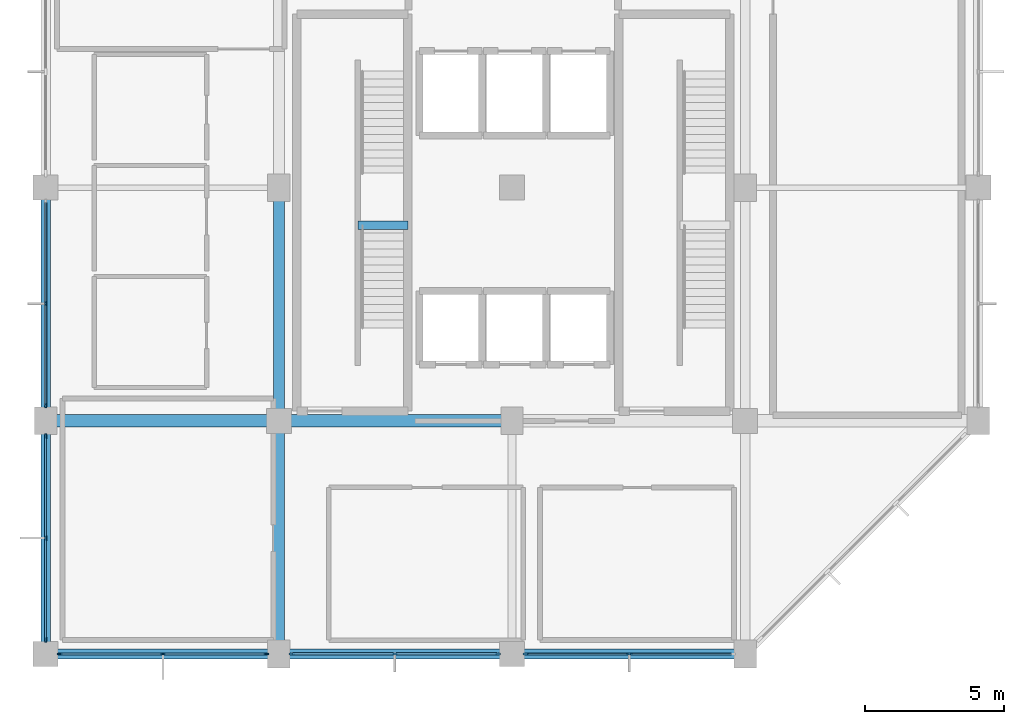
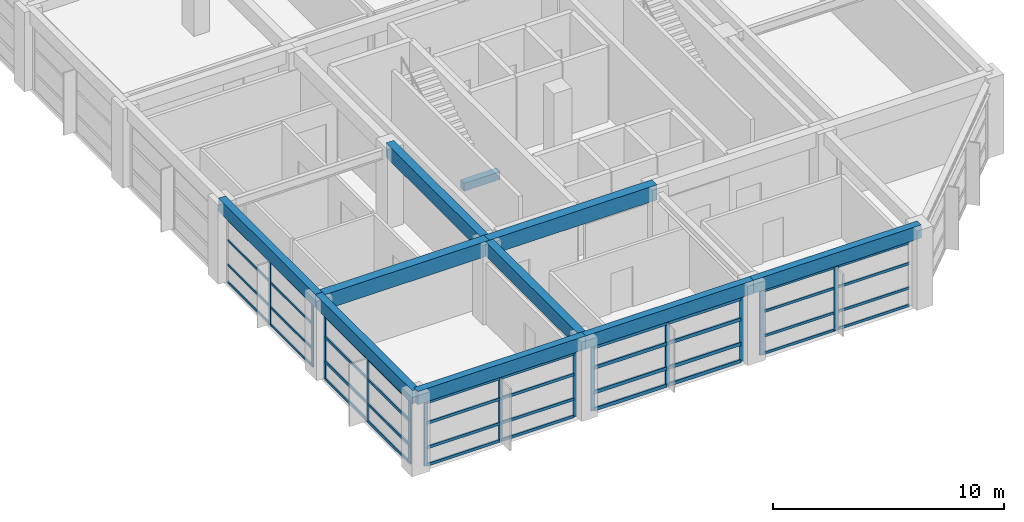
# One storey, part 2 of 12: 53 members, 10 beams, 5 elements without a shape of their own.
"""IFC4 building model written with IfcOpenShell, lengths in metres."""

from ifc_helpers import new_model, si_unit, direction, frame, origin, origin_2d, place, context, subcontext, project, spatial, rectangle, extrude, material, material_profile, profile_set, type_object, element, aggregate, save


model = new_model("IFC4")

# Units and contexts
model_context = context("Model", 3, precision=1e-05, world=origin(), true_north=direction((0.0, 1.0)))
body_context = subcontext(model_context, "Body", "Model", "MODEL_VIEW")
ifc_project = project(units=[si_unit("LENGTHUNIT", "METRE"), si_unit("AREAUNIT", "SQUARE_METRE"), si_unit("VOLUMEUNIT", "CUBIC_METRE"), si_unit("PLANEANGLEUNIT", "RADIAN"), si_unit("MASSUNIT", "GRAM", prefix="KILO")], contexts=[model_context])

# Site, building, storey
site_placement = place(None, origin())
site = spatial("IfcSite", under=ifc_project, at=site_placement, CompositionType="ELEMENT")
building_placement = place(site_placement, origin())
building = spatial("IfcBuilding", under=site, at=building_placement, Name="Xuanlan Plaza Opera House", CompositionType="ELEMENT")
storey_placement = place(building_placement, frame((0.0, 0.0, 61.5)))
storey = spatial("IfcBuildingStorey", under=building, at=storey_placement, Name="L14", CompositionType="ELEMENT", Elevation=61.5)

# Curtain wall, members
ifc_material_1 = material(Name="Anodised Aluminium 6063-T6 and Low-E Glass", Category="aluminium")
curtain_wall_type_1 = type_object("IfcCurtainWallType", Name="ENV-CW-CW-03", PredefinedType="USERDEFINED", material=ifc_material_1)
curtain_wall_1_placement = place(storey_placement, origin())
curtain_wall_1 = element("IfcCurtainWall", 1, at=curtain_wall_1_placement, inside=storey, type_object=curtain_wall_type_1, Name="Unitised Curtain Wall L14-015", ObjectType="UNITISED CURTAIN WALL", PredefinedType="USERDEFINED")
ifc_material_2 = material(Name="Anodised Aluminium 6063-T6", Category="aluminium")
ifc_material_profile_1 = material_profile(ifc_material_2, rectangle(XDim=0.06494140625, YDim=0.159912109375, at=origin_2d()), Name="ALU-M 65x160")
ifc_profile_set_1 = profile_set([ifc_material_profile_1], Name="Anodised Aluminium 6063-T6")
member_type_1 = type_object("IfcMemberType", Name="ENV-CWM-01", PredefinedType="MULLION", material=ifc_profile_set_1)
member_1_placement = place(storey_placement, frame((126.0, 54.625, 0.0), z_axis=(0.0, 0.0, 1.0), x_axis=(1.0, 0.0, 0.0)))
member_1 = element("IfcMember", 2, at=member_1_placement, type_object=member_type_1, Name="CW-03 mullion 2", PredefinedType="MULLION", context=body_context, shape_type="SweptSolid", body=[
    extrude(rectangle(XDim=0.06494140625, YDim=0.159912109375, at=origin_2d()), origin(), (0.0, 0.0, 1.0), 3.3798828125),
])
member_2_placement = place(storey_placement, frame((126.0, 50.952392578125, 0.0), z_axis=(0.0, 0.0, 1.0), x_axis=(1.0, 0.0, 0.0)))
member_2 = element("IfcMember", 3, at=member_2_placement, type_object=member_type_1, Name="CW-03 mullion 3", PredefinedType="MULLION", context=body_context, shape_type="SweptSolid", body=[
    extrude(rectangle(XDim=0.06494140625, YDim=0.159912109375, at=origin_2d()), origin(), (0.0, 0.0, 1.0), 3.3798828125),
])

curtain_wall_type_2 = type_object("IfcCurtainWallType", Name="ENV-CW-CW-01", PredefinedType="USERDEFINED", material=ifc_material_1)
curtain_wall_2_placement = place(storey_placement, origin())
curtain_wall_2 = element("IfcCurtainWall", 4, at=curtain_wall_2_placement, inside=storey, type_object=curtain_wall_type_2, Name="Unitised Curtain Wall L14-001", ObjectType="UNITISED CURTAIN WALL", PredefinedType="USERDEFINED")
ifc_material_profile_2 = material_profile(ifc_material_2, rectangle(XDim=0.070068359375, YDim=0.179931640625, at=origin_2d()), Name="ALU-M 70x180")
ifc_profile_set_2 = profile_set([ifc_material_profile_2], Name="Anodised Aluminium 6063-T6")
member_type_2 = type_object("IfcMemberType", Name="ENV-CWM-02", PredefinedType="MULLION", material=ifc_profile_set_2)
member_3_placement = place(storey_placement, frame((126.5048828125, 42.0, 0.0), z_axis=(0.0, 0.0, 1.0), x_axis=(0.0, 1.0, 0.0)))
member_3 = element("IfcMember", 5, at=member_3_placement, type_object=member_type_2, Name="CW-01 mullion 1", PredefinedType="MULLION", context=body_context, shape_type="SweptSolid", body=[
    extrude(rectangle(XDim=0.070068359375, YDim=0.179931640625, at=origin_2d()), origin(), (0.0, 0.0, 1.0), 3.3798828125),
])
member_4_placement = place(storey_placement, frame((130.22509765625, 42.0, 0.0), z_axis=(0.0, 0.0, 1.0), x_axis=(0.0, 1.0, 0.0)))
member_4 = element("IfcMember", 6, at=member_4_placement, type_object=member_type_2, Name="CW-01 mullion 2", PredefinedType="MULLION", context=body_context, shape_type="SweptSolid", body=[
    extrude(rectangle(XDim=0.070068359375, YDim=0.179931640625, at=origin_2d()), origin(), (0.0, 0.0, 1.0), 3.3798828125),
])
member_5_placement = place(storey_placement, frame((133.945068359375, 42.0, 0.0), z_axis=(0.0, 0.0, 1.0), x_axis=(0.0, 1.0, 0.0)))
member_5 = element("IfcMember", 7, at=member_5_placement, type_object=member_type_2, Name="CW-01 mullion 3", PredefinedType="MULLION", context=body_context, shape_type="SweptSolid", body=[
    extrude(rectangle(XDim=0.070068359375, YDim=0.179931640625, at=origin_2d()), origin(), (0.0, 0.0, 1.0), 3.3798828125),
])

curtain_wall_type_3 = type_object("IfcCurtainWallType", Name="ENV-CW-CW-04", PredefinedType="USERDEFINED", material=ifc_material_1)
curtain_wall_3_placement = place(storey_placement, origin())
curtain_wall_3 = element("IfcCurtainWall", 8, at=curtain_wall_3_placement, inside=storey, type_object=curtain_wall_type_3, Name="Unitised Curtain Wall L14-016", ObjectType="UNITISED CURTAIN WALL", PredefinedType="USERDEFINED")
member_6_placement = place(storey_placement, frame((126.0, 49.844970703125, 0.0), z_axis=(0.0, 0.0, 1.0), x_axis=(1.0, 0.0, 0.0)))
member_6 = element("IfcMember", 9, at=member_6_placement, type_object=member_type_2, Name="CW-04 mullion 1", PredefinedType="MULLION", context=body_context, shape_type="SweptSolid", body=[
    extrude(rectangle(XDim=0.070068359375, YDim=0.179931640625, at=origin_2d()), origin(), (0.0, 0.0, 1.0), 3.3798828125),
])
member_7_placement = place(storey_placement, frame((126.0, 46.175048828125, 0.0), z_axis=(0.0, 0.0, 1.0), x_axis=(1.0, 0.0, 0.0)))
member_7 = element("IfcMember", 10, at=member_7_placement, type_object=member_type_2, Name="CW-04 mullion 2", PredefinedType="MULLION", context=body_context, shape_type="SweptSolid", body=[
    extrude(rectangle(XDim=0.070068359375, YDim=0.179931640625, at=origin_2d()), origin(), (0.0, 0.0, 1.0), 3.3798828125),
])
member_8_placement = place(storey_placement, frame((126.0, 42.5048828125, 0.0), z_axis=(0.0, 0.0, 1.0), x_axis=(1.0, 0.0, 0.0)))
member_8 = element("IfcMember", 11, at=member_8_placement, type_object=member_type_2, Name="CW-04 mullion 3", PredefinedType="MULLION", context=body_context, shape_type="SweptSolid", body=[
    extrude(rectangle(XDim=0.070068359375, YDim=0.179931640625, at=origin_2d()), origin(), (0.0, 0.0, 1.0), 3.3798828125),
])

curtain_wall_type_4 = type_object("IfcCurtainWallType", Name="ENV-CW-CW-02", PredefinedType="USERDEFINED", material=ifc_material_1)
curtain_wall_4_placement = place(storey_placement, origin())
curtain_wall_4 = element("IfcCurtainWall", 12, at=curtain_wall_4_placement, inside=storey, type_object=curtain_wall_type_4, Name="Unitised Curtain Wall L14-002", ObjectType="UNITISED CURTAIN WALL", PredefinedType="USERDEFINED")
ifc_material_profile_3 = material_profile(ifc_material_2, rectangle(XDim=0.074951171875, YDim=0.199951171875, at=origin_2d()), Name="ALU-M 75x200")
ifc_profile_set_3 = profile_set([ifc_material_profile_3], Name="Anodised Aluminium 6063-T6")
member_type_3 = type_object("IfcMemberType", Name="ENV-CWM-03", PredefinedType="MULLION", material=ifc_profile_set_3)
member_9_placement = place(storey_placement, frame((134.857421875, 42.0, 0.0), z_axis=(0.0, 0.0, 1.0), x_axis=(0.0, 1.0, 0.0)))
member_9 = element("IfcMember", 13, at=member_9_placement, type_object=member_type_3, Name="CW-02 mullion 1", PredefinedType="MULLION", context=body_context, shape_type="SweptSolid", body=[
    extrude(rectangle(XDim=0.074951171875, YDim=0.199951171875, at=origin_2d()), origin(), (0.0, 0.0, 1.0), 3.3798828125),
])
member_10_placement = place(storey_placement, frame((138.574951171875, 42.0, 0.0), z_axis=(0.0, 0.0, 1.0), x_axis=(0.0, 1.0, 0.0)))
member_10 = element("IfcMember", 14, at=member_10_placement, type_object=member_type_3, Name="CW-02 mullion 2", PredefinedType="MULLION", context=body_context, shape_type="SweptSolid", body=[
    extrude(rectangle(XDim=0.074951171875, YDim=0.199951171875, at=origin_2d()), origin(), (0.0, 0.0, 1.0), 3.3798828125),
])
member_11_placement = place(storey_placement, frame((142.29248046875, 42.0, 0.0), z_axis=(0.0, 0.0, 1.0), x_axis=(0.0, 1.0, 0.0)))
member_11 = element("IfcMember", 15, at=member_11_placement, type_object=member_type_3, Name="CW-02 mullion 3", PredefinedType="MULLION", context=body_context, shape_type="SweptSolid", body=[
    extrude(rectangle(XDim=0.074951171875, YDim=0.199951171875, at=origin_2d()), origin(), (0.0, 0.0, 1.0), 3.3798828125),
])

curtain_wall_5_placement = place(storey_placement, origin())
curtain_wall_5 = element("IfcCurtainWall", 16, at=curtain_wall_5_placement, inside=storey, type_object=curtain_wall_type_1, Name="Unitised Curtain Wall L14-003", ObjectType="UNITISED CURTAIN WALL", PredefinedType="USERDEFINED")
ifc_material_profile_4 = material_profile(ifc_material_2, rectangle(XDim=0.080078125, YDim=0.219970703125, at=origin_2d()), Name="ALU-M 80x220")
ifc_profile_set_4 = profile_set([ifc_material_profile_4], Name="Anodised Aluminium 6063-T6")
member_type_4 = type_object("IfcMemberType", Name="ENV-CWM-04", PredefinedType="MULLION", material=ifc_profile_set_4)
member_12_placement = place(storey_placement, frame((143.31005859375, 42.0, 0.0), z_axis=(0.0, 0.0, 1.0), x_axis=(0.0, 1.0, 0.0)))
member_12 = element("IfcMember", 17, at=member_12_placement, type_object=member_type_4, Name="CW-03 mullion 1", PredefinedType="MULLION", context=body_context, shape_type="SweptSolid", body=[
    extrude(rectangle(XDim=0.080078125, YDim=0.219970703125, at=origin_2d()), origin(), (0.0, 0.0, 1.0), 3.3798828125),
])
member_13_placement = place(storey_placement, frame((147.02490234375, 42.0, 0.0), z_axis=(0.0, 0.0, 1.0), x_axis=(0.0, 1.0, 0.0)))
member_13 = element("IfcMember", 18, at=member_13_placement, type_object=member_type_4, Name="CW-03 mullion 2", PredefinedType="MULLION", context=body_context, shape_type="SweptSolid", body=[
    extrude(rectangle(XDim=0.080078125, YDim=0.219970703125, at=origin_2d()), origin(), (0.0, 0.0, 1.0), 3.3798828125),
])

# Member
ifc_material_profile_5 = material_profile(ifc_material_2, rectangle(XDim=0.06494140625, YDim=0.1201171875, at=origin_2d()), Name="ALU-T 65x120")
ifc_profile_set_5 = profile_set([ifc_material_profile_5], Name="Anodised Aluminium 6063-T6")
member_type_5 = type_object("IfcMemberType", Name="ENV-CWT-01", PredefinedType="USERDEFINED", material=ifc_profile_set_5)
member_14_placement = place(storey_placement, frame((126.0, 58.264892578125, 0.032470703125), z_axis=(0.0, -1.0, 0.0), x_axis=(1.0, 0.0, 0.0)))
member_14 = element("IfcMember", 19, at=member_14_placement, type_object=member_type_5, Name="CW-03 transom 1.1", ObjectType="TRANSOM", PredefinedType="USERDEFINED", context=body_context, shape_type="SweptSolid", body=[
    extrude(rectangle(XDim=0.06494140625, YDim=0.1201171875, at=origin_2d()), origin(), (0.0, 0.0, 1.0), 3.607421875),
])

member_15_placement = place(storey_placement, frame((126.0, 58.264892578125, 0.949951171875), z_axis=(0.0, -1.0, 0.0), x_axis=(1.0, 0.0, 0.0)))
member_15 = element("IfcMember", 20, at=member_15_placement, type_object=member_type_5, Name="CW-03 transom 1.2", ObjectType="TRANSOM", PredefinedType="USERDEFINED", context=body_context, shape_type="SweptSolid", body=[
    extrude(rectangle(XDim=0.06494140625, YDim=0.1201171875, at=origin_2d()), origin(), (0.0, 0.0, 1.0), 3.607421875),
])

member_16_placement = place(storey_placement, frame((126.0, 58.264892578125, 2.25), z_axis=(0.0, -1.0, 0.0), x_axis=(1.0, 0.0, 0.0)))
member_16 = element("IfcMember", 21, at=member_16_placement, type_object=member_type_5, Name="CW-03 transom 1.3", ObjectType="TRANSOM", PredefinedType="USERDEFINED", context=body_context, shape_type="SweptSolid", body=[
    extrude(rectangle(XDim=0.06494140625, YDim=0.1201171875, at=origin_2d()), origin(), (0.0, 0.0, 1.0), 3.607421875),
])

member_17_placement = place(storey_placement, frame((126.0, 58.264892578125, 3.347412109375), z_axis=(0.0, -1.0, 0.0), x_axis=(1.0, 0.0, 0.0)))
member_17 = element("IfcMember", 22, at=member_17_placement, type_object=member_type_5, Name="CW-03 transom 1.4", ObjectType="TRANSOM", PredefinedType="USERDEFINED", context=body_context, shape_type="SweptSolid", body=[
    extrude(rectangle(XDim=0.06494140625, YDim=0.1201171875, at=origin_2d()), origin(), (0.0, 0.0, 1.0), 3.607421875),
])

member_18_placement = place(storey_placement, frame((126.0, 54.592529296875, 0.032470703125), z_axis=(0.0, -1.0, 0.0), x_axis=(1.0, 0.0, 0.0)))
member_18 = element("IfcMember", 23, at=member_18_placement, type_object=member_type_5, Name="CW-03 transom 2.1", ObjectType="TRANSOM", PredefinedType="USERDEFINED", context=body_context, shape_type="SweptSolid", body=[
    extrude(rectangle(XDim=0.06494140625, YDim=0.1201171875, at=origin_2d()), origin(), (0.0, 0.0, 1.0), 3.607421875),
])

member_19_placement = place(storey_placement, frame((126.0, 54.592529296875, 0.949951171875), z_axis=(0.0, -1.0, 0.0), x_axis=(1.0, 0.0, 0.0)))
member_19 = element("IfcMember", 24, at=member_19_placement, type_object=member_type_5, Name="CW-03 transom 2.2", ObjectType="TRANSOM", PredefinedType="USERDEFINED", context=body_context, shape_type="SweptSolid", body=[
    extrude(rectangle(XDim=0.06494140625, YDim=0.1201171875, at=origin_2d()), origin(), (0.0, 0.0, 1.0), 3.607421875),
])

member_20_placement = place(storey_placement, frame((126.0, 54.592529296875, 2.25), z_axis=(0.0, -1.0, 0.0), x_axis=(1.0, 0.0, 0.0)))
member_20 = element("IfcMember", 25, at=member_20_placement, type_object=member_type_5, Name="CW-03 transom 2.3", ObjectType="TRANSOM", PredefinedType="USERDEFINED", context=body_context, shape_type="SweptSolid", body=[
    extrude(rectangle(XDim=0.06494140625, YDim=0.1201171875, at=origin_2d()), origin(), (0.0, 0.0, 1.0), 3.607421875),
])

member_21_placement = place(storey_placement, frame((126.0, 54.592529296875, 3.347412109375), z_axis=(0.0, -1.0, 0.0), x_axis=(1.0, 0.0, 0.0)))
member_21 = element("IfcMember", 26, at=member_21_placement, type_object=member_type_5, Name="CW-03 transom 2.4", ObjectType="TRANSOM", PredefinedType="USERDEFINED", context=body_context, shape_type="SweptSolid", body=[
    extrude(rectangle(XDim=0.06494140625, YDim=0.1201171875, at=origin_2d()), origin(), (0.0, 0.0, 1.0), 3.607421875),
])

aggregate(curtain_wall_1, [member_1, member_2, member_14, member_15, member_16, member_17, member_18, member_19, member_20, member_21])

ifc_material_profile_6 = material_profile(ifc_material_2, rectangle(XDim=0.070068359375, YDim=0.135009765625, at=origin_2d()), Name="ALU-T 70x135")
ifc_profile_set_6 = profile_set([ifc_material_profile_6], Name="Anodised Aluminium 6063-T6")
member_type_6 = type_object("IfcMemberType", Name="ENV-CWT-02", PredefinedType="USERDEFINED", material=ifc_profile_set_6)
member_22_placement = place(storey_placement, frame((143.35009765625, 42.0, 0.034912109375), z_axis=(1.0, 0.0, 0.0), x_axis=(0.0, 1.0, 0.0)))
member_22 = element("IfcMember", 27, at=member_22_placement, type_object=member_type_6, Name="CW-03 transom 1.1", ObjectType="TRANSOM", PredefinedType="USERDEFINED", context=body_context, shape_type="SweptSolid", body=[
    extrude(rectangle(XDim=0.070068359375, YDim=0.135009765625, at=origin_2d()), origin(), (0.0, 0.0, 1.0), 3.635009765625),
])

member_23_placement = place(storey_placement, frame((143.35009765625, 42.0, 0.949951171875), z_axis=(1.0, 0.0, 0.0), x_axis=(0.0, 1.0, 0.0)))
member_23 = element("IfcMember", 28, at=member_23_placement, type_object=member_type_6, Name="CW-03 transom 1.2", ObjectType="TRANSOM", PredefinedType="USERDEFINED", context=body_context, shape_type="SweptSolid", body=[
    extrude(rectangle(XDim=0.070068359375, YDim=0.135009765625, at=origin_2d()), origin(), (0.0, 0.0, 1.0), 3.635009765625),
])

member_24_placement = place(storey_placement, frame((143.35009765625, 42.0, 2.25), z_axis=(1.0, 0.0, 0.0), x_axis=(0.0, 1.0, 0.0)))
member_24 = element("IfcMember", 29, at=member_24_placement, type_object=member_type_6, Name="CW-03 transom 1.3", ObjectType="TRANSOM", PredefinedType="USERDEFINED", context=body_context, shape_type="SweptSolid", body=[
    extrude(rectangle(XDim=0.070068359375, YDim=0.135009765625, at=origin_2d()), origin(), (0.0, 0.0, 1.0), 3.635009765625),
])

member_25_placement = place(storey_placement, frame((143.35009765625, 42.0, 3.344970703125), z_axis=(1.0, 0.0, 0.0), x_axis=(0.0, 1.0, 0.0)))
member_25 = element("IfcMember", 30, at=member_25_placement, type_object=member_type_6, Name="CW-03 transom 1.4", ObjectType="TRANSOM", PredefinedType="USERDEFINED", context=body_context, shape_type="SweptSolid", body=[
    extrude(rectangle(XDim=0.070068359375, YDim=0.135009765625, at=origin_2d()), origin(), (0.0, 0.0, 1.0), 3.635009765625),
])

member_26_placement = place(storey_placement, frame((147.06494140625, 42.0, 0.034912109375), z_axis=(1.0, 0.0, 0.0), x_axis=(0.0, 1.0, 0.0)))
member_26 = element("IfcMember", 31, at=member_26_placement, type_object=member_type_6, Name="CW-03 transom 2.1", ObjectType="TRANSOM", PredefinedType="USERDEFINED", context=body_context, shape_type="SweptSolid", body=[
    extrude(rectangle(XDim=0.070068359375, YDim=0.135009765625, at=origin_2d()), origin(), (0.0, 0.0, 1.0), 3.635009765625),
])

member_27_placement = place(storey_placement, frame((147.06494140625, 42.0, 0.949951171875), z_axis=(1.0, 0.0, 0.0), x_axis=(0.0, 1.0, 0.0)))
member_27 = element("IfcMember", 32, at=member_27_placement, type_object=member_type_6, Name="CW-03 transom 2.2", ObjectType="TRANSOM", PredefinedType="USERDEFINED", context=body_context, shape_type="SweptSolid", body=[
    extrude(rectangle(XDim=0.070068359375, YDim=0.135009765625, at=origin_2d()), origin(), (0.0, 0.0, 1.0), 3.635009765625),
])

member_28_placement = place(storey_placement, frame((147.06494140625, 42.0, 2.25), z_axis=(1.0, 0.0, 0.0), x_axis=(0.0, 1.0, 0.0)))
member_28 = element("IfcMember", 33, at=member_28_placement, type_object=member_type_6, Name="CW-03 transom 2.3", ObjectType="TRANSOM", PredefinedType="USERDEFINED", context=body_context, shape_type="SweptSolid", body=[
    extrude(rectangle(XDim=0.070068359375, YDim=0.135009765625, at=origin_2d()), origin(), (0.0, 0.0, 1.0), 3.635009765625),
])

member_29_placement = place(storey_placement, frame((147.06494140625, 42.0, 3.344970703125), z_axis=(1.0, 0.0, 0.0), x_axis=(0.0, 1.0, 0.0)))
member_29 = element("IfcMember", 34, at=member_29_placement, type_object=member_type_6, Name="CW-03 transom 2.4", ObjectType="TRANSOM", PredefinedType="USERDEFINED", context=body_context, shape_type="SweptSolid", body=[
    extrude(rectangle(XDim=0.070068359375, YDim=0.135009765625, at=origin_2d()), origin(), (0.0, 0.0, 1.0), 3.635009765625),
])

aggregate(curtain_wall_5, [member_12, member_13, member_22, member_23, member_24, member_25, member_26, member_27, member_28, member_29])

ifc_material_profile_7 = material_profile(ifc_material_2, rectangle(XDim=0.074951171875, YDim=0.14990234375, at=origin_2d()), Name="ALU-T 75x150")
ifc_profile_set_7 = profile_set([ifc_material_profile_7], Name="Anodised Aluminium 6063-T6")
member_type_7 = type_object("IfcMemberType", Name="ENV-CWT-03", PredefinedType="USERDEFINED", material=ifc_profile_set_7)
member_30_placement = place(storey_placement, frame((126.5400390625, 42.0, 0.03759765625), z_axis=(1.0, 0.0, 0.0), x_axis=(0.0, 1.0, 0.0)))
member_30 = element("IfcMember", 35, at=member_30_placement, type_object=member_type_7, Name="CW-01 transom 1.1", ObjectType="TRANSOM", PredefinedType="USERDEFINED", context=body_context, shape_type="SweptSolid", body=[
    extrude(rectangle(XDim=0.074951171875, YDim=0.14990234375, at=origin_2d()), origin(), (0.0, 0.0, 1.0), 3.64990234375),
])

member_31_placement = place(storey_placement, frame((126.5400390625, 42.0, 0.949951171875), z_axis=(1.0, 0.0, 0.0), x_axis=(0.0, 1.0, 0.0)))
member_31 = element("IfcMember", 36, at=member_31_placement, type_object=member_type_7, Name="CW-01 transom 1.2", ObjectType="TRANSOM", PredefinedType="USERDEFINED", context=body_context, shape_type="SweptSolid", body=[
    extrude(rectangle(XDim=0.074951171875, YDim=0.14990234375, at=origin_2d()), origin(), (0.0, 0.0, 1.0), 3.64990234375),
])

member_32_placement = place(storey_placement, frame((126.5400390625, 42.0, 2.25), z_axis=(1.0, 0.0, 0.0), x_axis=(0.0, 1.0, 0.0)))
member_32 = element("IfcMember", 37, at=member_32_placement, type_object=member_type_7, Name="CW-01 transom 1.3", ObjectType="TRANSOM", PredefinedType="USERDEFINED", context=body_context, shape_type="SweptSolid", body=[
    extrude(rectangle(XDim=0.074951171875, YDim=0.14990234375, at=origin_2d()), origin(), (0.0, 0.0, 1.0), 3.64990234375),
])

member_33_placement = place(storey_placement, frame((126.5400390625, 42.0, 3.342529296875), z_axis=(1.0, 0.0, 0.0), x_axis=(0.0, 1.0, 0.0)))
member_33 = element("IfcMember", 38, at=member_33_placement, type_object=member_type_7, Name="CW-01 transom 1.4", ObjectType="TRANSOM", PredefinedType="USERDEFINED", context=body_context, shape_type="SweptSolid", body=[
    extrude(rectangle(XDim=0.074951171875, YDim=0.14990234375, at=origin_2d()), origin(), (0.0, 0.0, 1.0), 3.64990234375),
])

member_34_placement = place(storey_placement, frame((130.260009765625, 42.0, 0.03759765625), z_axis=(1.0, 0.0, 0.0), x_axis=(0.0, 1.0, 0.0)))
member_34 = element("IfcMember", 39, at=member_34_placement, type_object=member_type_7, Name="CW-01 transom 2.1", ObjectType="TRANSOM", PredefinedType="USERDEFINED", context=body_context, shape_type="SweptSolid", body=[
    extrude(rectangle(XDim=0.074951171875, YDim=0.14990234375, at=origin_2d()), origin(), (0.0, 0.0, 1.0), 3.64990234375),
])

member_35_placement = place(storey_placement, frame((130.260009765625, 42.0, 0.949951171875), z_axis=(1.0, 0.0, 0.0), x_axis=(0.0, 1.0, 0.0)))
member_35 = element("IfcMember", 40, at=member_35_placement, type_object=member_type_7, Name="CW-01 transom 2.2", ObjectType="TRANSOM", PredefinedType="USERDEFINED", context=body_context, shape_type="SweptSolid", body=[
    extrude(rectangle(XDim=0.074951171875, YDim=0.14990234375, at=origin_2d()), origin(), (0.0, 0.0, 1.0), 3.64990234375),
])

member_36_placement = place(storey_placement, frame((130.260009765625, 42.0, 2.25), z_axis=(1.0, 0.0, 0.0), x_axis=(0.0, 1.0, 0.0)))
member_36 = element("IfcMember", 41, at=member_36_placement, type_object=member_type_7, Name="CW-01 transom 2.3", ObjectType="TRANSOM", PredefinedType="USERDEFINED", context=body_context, shape_type="SweptSolid", body=[
    extrude(rectangle(XDim=0.074951171875, YDim=0.14990234375, at=origin_2d()), origin(), (0.0, 0.0, 1.0), 3.64990234375),
])

member_37_placement = place(storey_placement, frame((130.260009765625, 42.0, 3.342529296875), z_axis=(1.0, 0.0, 0.0), x_axis=(0.0, 1.0, 0.0)))
member_37 = element("IfcMember", 42, at=member_37_placement, type_object=member_type_7, Name="CW-01 transom 2.4", ObjectType="TRANSOM", PredefinedType="USERDEFINED", context=body_context, shape_type="SweptSolid", body=[
    extrude(rectangle(XDim=0.074951171875, YDim=0.14990234375, at=origin_2d()), origin(), (0.0, 0.0, 1.0), 3.64990234375),
])

aggregate(curtain_wall_2, [member_3, member_4, member_5, member_30, member_31, member_32, member_33, member_34, member_35, member_36, member_37])

member_38_placement = place(storey_placement, frame((126.0, 49.81005859375, 0.03759765625), z_axis=(0.0, -1.0, 0.0), x_axis=(1.0, 0.0, 0.0)))
member_38 = element("IfcMember", 43, at=member_38_placement, type_object=member_type_7, Name="CW-04 transom 1.1", ObjectType="TRANSOM", PredefinedType="USERDEFINED", context=body_context, shape_type="SweptSolid", body=[
    extrude(rectangle(XDim=0.074951171875, YDim=0.14990234375, at=origin_2d()), origin(), (0.0, 0.0, 1.0), 3.60009765625),
])

member_39_placement = place(storey_placement, frame((126.0, 49.81005859375, 0.949951171875), z_axis=(0.0, -1.0, 0.0), x_axis=(1.0, 0.0, 0.0)))
member_39 = element("IfcMember", 44, at=member_39_placement, type_object=member_type_7, Name="CW-04 transom 1.2", ObjectType="TRANSOM", PredefinedType="USERDEFINED", context=body_context, shape_type="SweptSolid", body=[
    extrude(rectangle(XDim=0.074951171875, YDim=0.14990234375, at=origin_2d()), origin(), (0.0, 0.0, 1.0), 3.60009765625),
])

member_40_placement = place(storey_placement, frame((126.0, 49.81005859375, 2.25), z_axis=(0.0, -1.0, 0.0), x_axis=(1.0, 0.0, 0.0)))
member_40 = element("IfcMember", 45, at=member_40_placement, type_object=member_type_7, Name="CW-04 transom 1.3", ObjectType="TRANSOM", PredefinedType="USERDEFINED", context=body_context, shape_type="SweptSolid", body=[
    extrude(rectangle(XDim=0.074951171875, YDim=0.14990234375, at=origin_2d()), origin(), (0.0, 0.0, 1.0), 3.60009765625),
])

member_41_placement = place(storey_placement, frame((126.0, 49.81005859375, 3.342529296875), z_axis=(0.0, -1.0, 0.0), x_axis=(1.0, 0.0, 0.0)))
member_41 = element("IfcMember", 46, at=member_41_placement, type_object=member_type_7, Name="CW-04 transom 1.4", ObjectType="TRANSOM", PredefinedType="USERDEFINED", context=body_context, shape_type="SweptSolid", body=[
    extrude(rectangle(XDim=0.074951171875, YDim=0.14990234375, at=origin_2d()), origin(), (0.0, 0.0, 1.0), 3.60009765625),
])

member_42_placement = place(storey_placement, frame((126.0, 46.139892578125, 0.03759765625), z_axis=(0.0, -1.0, 0.0), x_axis=(1.0, 0.0, 0.0)))
member_42 = element("IfcMember", 47, at=member_42_placement, type_object=member_type_7, Name="CW-04 transom 2.1", ObjectType="TRANSOM", PredefinedType="USERDEFINED", context=body_context, shape_type="SweptSolid", body=[
    extrude(rectangle(XDim=0.074951171875, YDim=0.14990234375, at=origin_2d()), origin(), (0.0, 0.0, 1.0), 3.599853515625),
])

member_43_placement = place(storey_placement, frame((126.0, 46.139892578125, 0.949951171875), z_axis=(0.0, -1.0, 0.0), x_axis=(1.0, 0.0, 0.0)))
member_43 = element("IfcMember", 48, at=member_43_placement, type_object=member_type_7, Name="CW-04 transom 2.2", ObjectType="TRANSOM", PredefinedType="USERDEFINED", context=body_context, shape_type="SweptSolid", body=[
    extrude(rectangle(XDim=0.074951171875, YDim=0.14990234375, at=origin_2d()), origin(), (0.0, 0.0, 1.0), 3.599853515625),
])

member_44_placement = place(storey_placement, frame((126.0, 46.139892578125, 2.25), z_axis=(0.0, -1.0, 0.0), x_axis=(1.0, 0.0, 0.0)))
member_44 = element("IfcMember", 49, at=member_44_placement, type_object=member_type_7, Name="CW-04 transom 2.3", ObjectType="TRANSOM", PredefinedType="USERDEFINED", context=body_context, shape_type="SweptSolid", body=[
    extrude(rectangle(XDim=0.074951171875, YDim=0.14990234375, at=origin_2d()), origin(), (0.0, 0.0, 1.0), 3.599853515625),
])

member_45_placement = place(storey_placement, frame((126.0, 46.139892578125, 3.342529296875), z_axis=(0.0, -1.0, 0.0), x_axis=(1.0, 0.0, 0.0)))
member_45 = element("IfcMember", 50, at=member_45_placement, type_object=member_type_7, Name="CW-04 transom 2.4", ObjectType="TRANSOM", PredefinedType="USERDEFINED", context=body_context, shape_type="SweptSolid", body=[
    extrude(rectangle(XDim=0.074951171875, YDim=0.14990234375, at=origin_2d()), origin(), (0.0, 0.0, 1.0), 3.599853515625),
])

aggregate(curtain_wall_3, [member_6, member_7, member_8, member_38, member_39, member_40, member_41, member_42, member_43, member_44, member_45])

ifc_material_profile_8 = material_profile(ifc_material_2, rectangle(XDim=0.090087890625, YDim=0.179931640625, at=origin_2d()), Name="ALU-T 90x180")
ifc_profile_set_8 = profile_set([ifc_material_profile_8], Name="Anodised Aluminium 6063-T6")
member_type_8 = type_object("IfcMemberType", Name="ENV-CWT-05", PredefinedType="USERDEFINED", material=ifc_profile_set_8)
member_46_placement = place(storey_placement, frame((134.89501953125, 42.0, 0.044921875), z_axis=(1.0, 0.0, 0.0), x_axis=(0.0, 1.0, 0.0)))
member_46 = element("IfcMember", 51, at=member_46_placement, type_object=member_type_8, Name="CW-02 transom 1.1", ObjectType="TRANSOM", PredefinedType="USERDEFINED", context=body_context, shape_type="SweptSolid", body=[
    extrude(rectangle(XDim=0.090087890625, YDim=0.179931640625, at=origin_2d()), origin(), (0.0, 0.0, 1.0), 3.642578125),
])

member_47_placement = place(storey_placement, frame((134.89501953125, 42.0, 0.949951171875), z_axis=(1.0, 0.0, 0.0), x_axis=(0.0, 1.0, 0.0)))
member_47 = element("IfcMember", 52, at=member_47_placement, type_object=member_type_8, Name="CW-02 transom 1.2", ObjectType="TRANSOM", PredefinedType="USERDEFINED", context=body_context, shape_type="SweptSolid", body=[
    extrude(rectangle(XDim=0.090087890625, YDim=0.179931640625, at=origin_2d()), origin(), (0.0, 0.0, 1.0), 3.642578125),
])

member_48_placement = place(storey_placement, frame((134.89501953125, 42.0, 2.25), z_axis=(1.0, 0.0, 0.0), x_axis=(0.0, 1.0, 0.0)))
member_48 = element("IfcMember", 53, at=member_48_placement, type_object=member_type_8, Name="CW-02 transom 1.3", ObjectType="TRANSOM", PredefinedType="USERDEFINED", context=body_context, shape_type="SweptSolid", body=[
    extrude(rectangle(XDim=0.090087890625, YDim=0.179931640625, at=origin_2d()), origin(), (0.0, 0.0, 1.0), 3.642578125),
])

member_49_placement = place(storey_placement, frame((134.89501953125, 42.0, 3.3349609375), z_axis=(1.0, 0.0, 0.0), x_axis=(0.0, 1.0, 0.0)))
member_49 = element("IfcMember", 54, at=member_49_placement, type_object=member_type_8, Name="CW-02 transom 1.4", ObjectType="TRANSOM", PredefinedType="USERDEFINED", context=body_context, shape_type="SweptSolid", body=[
    extrude(rectangle(XDim=0.090087890625, YDim=0.179931640625, at=origin_2d()), origin(), (0.0, 0.0, 1.0), 3.642578125),
])

member_50_placement = place(storey_placement, frame((138.612548828125, 42.0, 0.044921875), z_axis=(1.0, 0.0, 0.0), x_axis=(0.0, 1.0, 0.0)))
member_50 = element("IfcMember", 55, at=member_50_placement, type_object=member_type_8, Name="CW-02 transom 2.1", ObjectType="TRANSOM", PredefinedType="USERDEFINED", context=body_context, shape_type="SweptSolid", body=[
    extrude(rectangle(XDim=0.090087890625, YDim=0.179931640625, at=origin_2d()), origin(), (0.0, 0.0, 1.0), 3.642333984375),
])

member_51_placement = place(storey_placement, frame((138.612548828125, 42.0, 0.949951171875), z_axis=(1.0, 0.0, 0.0), x_axis=(0.0, 1.0, 0.0)))
member_51 = element("IfcMember", 56, at=member_51_placement, type_object=member_type_8, Name="CW-02 transom 2.2", ObjectType="TRANSOM", PredefinedType="USERDEFINED", context=body_context, shape_type="SweptSolid", body=[
    extrude(rectangle(XDim=0.090087890625, YDim=0.179931640625, at=origin_2d()), origin(), (0.0, 0.0, 1.0), 3.642333984375),
])

member_52_placement = place(storey_placement, frame((138.612548828125, 42.0, 2.25), z_axis=(1.0, 0.0, 0.0), x_axis=(0.0, 1.0, 0.0)))
member_52 = element("IfcMember", 57, at=member_52_placement, type_object=member_type_8, Name="CW-02 transom 2.3", ObjectType="TRANSOM", PredefinedType="USERDEFINED", context=body_context, shape_type="SweptSolid", body=[
    extrude(rectangle(XDim=0.090087890625, YDim=0.179931640625, at=origin_2d()), origin(), (0.0, 0.0, 1.0), 3.642333984375),
])

member_53_placement = place(storey_placement, frame((138.612548828125, 42.0, 3.3349609375), z_axis=(1.0, 0.0, 0.0), x_axis=(0.0, 1.0, 0.0)))
member_53 = element("IfcMember", 58, at=member_53_placement, type_object=member_type_8, Name="CW-02 transom 2.4", ObjectType="TRANSOM", PredefinedType="USERDEFINED", context=body_context, shape_type="SweptSolid", body=[
    extrude(rectangle(XDim=0.090087890625, YDim=0.179931640625, at=origin_2d()), origin(), (0.0, 0.0, 1.0), 3.642333984375),
])

aggregate(curtain_wall_4, [member_9, member_10, member_11, member_46, member_47, member_48, member_49, member_50, member_51, member_52, member_53])

# Beams
ifc_material_3 = material(Name="Concrete C40", Category="concrete")
ifc_material_profile_9 = material_profile(ifc_material_3, rectangle(XDim=0.449951171875, YDim=0.800048828125, at=origin_2d()), Name="RC-BM 450x800")
ifc_profile_set_9 = profile_set([ifc_material_profile_9], Name="Concrete C40")
beam_type_1 = type_object("IfcBeamType", Name="STR-BM-B-05", PredefinedType="BEAM", material=ifc_profile_set_9)
beam_1_placement = place(storey_placement, frame((126.0, 50.39990234375, 3.800048828125), z_axis=(1.0, 0.0, 0.0), x_axis=(0.0, 1.0, 0.0)))
element("IfcBeam", 59, at=beam_1_placement, inside=storey, type_object=beam_type_1, Name="Grid Beam X L14 16-17/G", PredefinedType="BEAM", context=body_context, shape_type="SweptSolid", body=[
    extrude(rectangle(XDim=0.449951171875, YDim=0.800048828125, at=origin_2d()), origin(), (0.0, 0.0, 1.0), 8.39990234375),
])
beam_2_placement = place(storey_placement, frame((134.39990234375, 50.39990234375, 3.800048828125), z_axis=(1.0, 0.0, 0.0), x_axis=(0.0, 1.0, 0.0)))
element("IfcBeam", 60, at=beam_2_placement, inside=storey, type_object=beam_type_1, Name="Grid Beam X L14 17-18/G", PredefinedType="BEAM", context=body_context, shape_type="SweptSolid", body=[
    extrude(rectangle(XDim=0.449951171875, YDim=0.800048828125, at=origin_2d()), origin(), (0.0, 0.0, 1.0), 8.400146484375),
])
ifc_material_profile_10 = material_profile(ifc_material_3, rectangle(XDim=0.39990234375, YDim=0.75, at=origin_2d()), Name="RC-BM 400x750")
ifc_profile_set_10 = profile_set([ifc_material_profile_10], Name="Concrete C40")
beam_type_2 = type_object("IfcBeamType", Name="STR-BM-B-06", PredefinedType="BEAM", material=ifc_profile_set_10)
beam_3_placement = place(storey_placement, frame((134.39990234375, 42.0, 3.824951171875), z_axis=(0.0, 1.0, 0.0), x_axis=(-1.0, 0.0, 0.0)))
element("IfcBeam", 61, at=beam_3_placement, inside=storey, type_object=beam_type_2, Name="Grid Beam Y L14 17/F-G", PredefinedType="BEAM", context=body_context, shape_type="SweptSolid", body=[
    extrude(rectangle(XDim=0.39990234375, YDim=0.75, at=origin_2d()), origin(), (0.0, 0.0, 1.0), 8.39990234375),
])
beam_4_placement = place(storey_placement, frame((134.39990234375, 50.39990234375, 3.824951171875), z_axis=(0.0, 1.0, 0.0), x_axis=(-1.0, 0.0, 0.0)))
element("IfcBeam", 62, at=beam_4_placement, inside=storey, type_object=beam_type_2, Name="Grid Beam Y L14 17/G-H", PredefinedType="BEAM", context=body_context, shape_type="SweptSolid", body=[
    extrude(rectangle(XDim=0.39990234375, YDim=0.75, at=origin_2d()), origin(), (0.0, 0.0, 1.0), 8.400146484375),
])
ifc_material_profile_11 = material_profile(ifc_material_3, rectangle(XDim=0.320068359375, YDim=0.419921875, at=origin_2d()), Name="RC-LNT 320x420")
ifc_profile_set_11 = profile_set([ifc_material_profile_11], Name="Concrete C40")
beam_type_3 = type_object("IfcBeamType", Name="STR-BM-LN-04", PredefinedType="LINTEL", material=ifc_profile_set_11)
beam_5_placement = place(storey_placement, frame((137.25, 57.445068359375, 1.68994140625), z_axis=(1.0, 0.0, 0.0), x_axis=(0.0, 1.0, 0.0)))
element("IfcBeam", 63, at=beam_5_placement, inside=storey, type_object=beam_type_3, Name="Stair Mid-Landing Trimmer Beam ST-T1 L14", PredefinedType="LINTEL", context=body_context, shape_type="SweptSolid", body=[
    extrude(rectangle(XDim=0.320068359375, YDim=0.419921875, at=origin_2d()), origin(), (0.0, 0.0, 1.0), 1.800048828125),
])
ifc_material_profile_12 = material_profile(ifc_material_3, rectangle(XDim=0.35009765625, YDim=0.699951171875, at=origin_2d()), Name="RC-SPD 350x700")
ifc_profile_set_12 = profile_set([ifc_material_profile_12], Name="Concrete C40")
beam_type_4 = type_object("IfcBeamType", Name="STR-BM-SP-02", PredefinedType="SPANDREL", material=ifc_profile_set_12)
beam_6_placement = place(storey_placement, frame((126.0, 42.0, 3.85009765625), z_axis=(1.0, 0.0, 0.0), x_axis=(0.0, 1.0, 0.0)))
element("IfcBeam", 64, at=beam_6_placement, inside=storey, type_object=beam_type_4, Name="Grid Beam X L14 16-17/F", PredefinedType="SPANDREL", context=body_context, shape_type="SweptSolid", body=[
    extrude(rectangle(XDim=0.35009765625, YDim=0.699951171875, at=origin_2d()), origin(), (0.0, 0.0, 1.0), 8.39990234375),
])
beam_7_placement = place(storey_placement, frame((134.39990234375, 42.0, 3.85009765625), z_axis=(1.0, 0.0, 0.0), x_axis=(0.0, 1.0, 0.0)))
element("IfcBeam", 65, at=beam_7_placement, inside=storey, type_object=beam_type_4, Name="Grid Beam X L14 17-18/F", PredefinedType="SPANDREL", context=body_context, shape_type="SweptSolid", body=[
    extrude(rectangle(XDim=0.35009765625, YDim=0.699951171875, at=origin_2d()), origin(), (0.0, 0.0, 1.0), 8.400146484375),
])
for number, where, z_axis, x_axis, name in (
    (66, (142.800048828125, 42.0, 3.85009765625), (1.0, 0.0, 0.0), (0.0, 1.0, 0.0), "Grid Beam X L14 18-19/F"),
    (67, (126.0, 42.0, 3.85009765625), (0.0, 1.0, 0.0), (-1.0, 0.0, 0.0), "Grid Beam Y L14 16/F-G"),
):
    element("IfcBeam", number, at=place(storey_placement, frame(where, z_axis=z_axis, x_axis=x_axis)), inside=storey, type_object=beam_type_4, Name=name, PredefinedType="SPANDREL", context=body_context, shape_type="SweptSolid", body=[
        extrude(rectangle(XDim=0.35009765625, YDim=0.699951171875, at=origin_2d()), origin(), (0.0, 0.0, 1.0), 8.39990234375),
    ])
beam_8_placement = place(storey_placement, frame((126.0, 50.39990234375, 3.85009765625), z_axis=(0.0, 1.0, 0.0), x_axis=(-1.0, 0.0, 0.0)))
element("IfcBeam", 68, at=beam_8_placement, inside=storey, type_object=beam_type_4, Name="Grid Beam Y L14 16/G-H", PredefinedType="SPANDREL", context=body_context, shape_type="SweptSolid", body=[
    extrude(rectangle(XDim=0.35009765625, YDim=0.699951171875, at=origin_2d()), origin(), (0.0, 0.0, 1.0), 8.400146484375),
])

save(model, "model.ifc")
